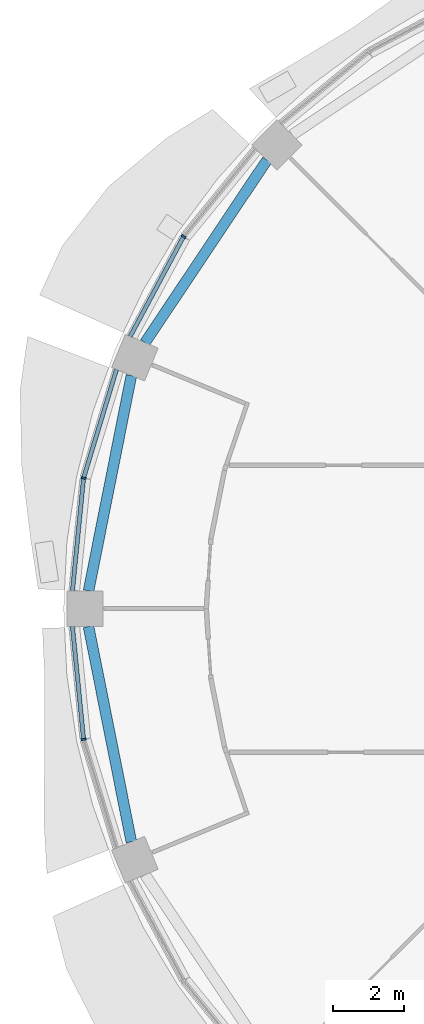
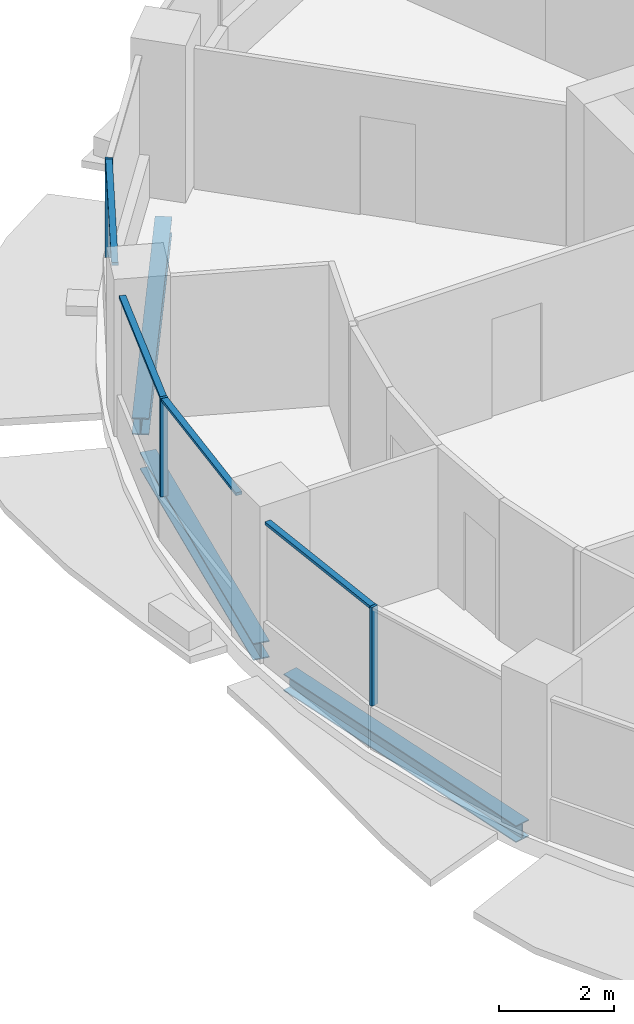
# One storey, part 4 of 15: 7 members, 3 beams, 3 elements without a shape of their own.
"""IFC4 building model written with IfcOpenShell, lengths in metres."""

from ifc_helpers import new_model, si_unit, direction, frame, origin, origin_2d, place, context, subcontext, project, spatial, rectangle, i_section, extrude, material, material_profile, profile_set, type_object, element, aggregate, save


model = new_model("IFC4")

# Units and contexts
model_context = context("Model", 3, precision=1e-05, world=origin(), true_north=direction((0.0, 1.0)))
body_context = subcontext(model_context, "Body", "Model", "MODEL_VIEW")
ifc_project = project(units=[si_unit("LENGTHUNIT", "METRE"), si_unit("AREAUNIT", "SQUARE_METRE"), si_unit("VOLUMEUNIT", "CUBIC_METRE"), si_unit("PLANEANGLEUNIT", "RADIAN"), si_unit("MASSUNIT", "GRAM", prefix="KILO")], contexts=[model_context])

# Site, building, storey
site_placement = place(None, origin())
site = spatial("IfcSite", under=ifc_project, at=site_placement, CompositionType="ELEMENT")
building_placement = place(site_placement, origin())
building = spatial("IfcBuilding", under=site, at=building_placement, Name="Polderwave Tower", CompositionType="ELEMENT")
storey_placement = place(building_placement, frame((0.0, 0.0, 134.35009765625)))
storey = spatial("IfcBuildingStorey", under=building, at=storey_placement, Name="L35", CompositionType="ELEMENT", Elevation=134.35009765625)

# Curtain wall, member
ifc_material_1 = material(Name="Aluminium 6063-T6 and glass", Category="aluminium")
curtain_wall_type = type_object("IfcCurtainWallType", Name="Office ribbon glazing wall", PredefinedType="NOTDEFINED", material=ifc_material_1)
curtain_wall_1_placement = place(storey_placement, origin())
curtain_wall_1 = element("IfcCurtainWall", 1, at=curtain_wall_1_placement, inside=storey, type_object=curtain_wall_type, Name="CW3 L35 06", PredefinedType="NOTDEFINED")
ifc_material_2 = material(Name="Aluminium 6063-T6", Category="aluminium")
ifc_material_profile_1 = material_profile(ifc_material_2, rectangle(XDim=0.139892578125, YDim=0.054931640625, at=origin_2d()), Name="AL 55x140")
ifc_profile_set_1 = profile_set([ifc_material_profile_1], Name="Aluminium 6063-T6")
member_type_1 = type_object("IfcMemberType", Name="Office ribbon glazing mullion 55x140", PredefinedType="MULLION", material=ifc_profile_set_1)
member_1_placement = place(storey_placement, frame((-15.614990234375, 10.43408203125, 0.89990234375), z_axis=(0.0, 0.0, 1.0), x_axis=(0.831411428565, -0.555657301267, 0.0)))
member_1 = element("IfcMember", 2, at=member_1_placement, type_object=member_type_1, Name="CW3 mullion 1", PredefinedType="MULLION", context=body_context, shape_type="SweptSolid", body=[
    extrude(rectangle(XDim=0.139892578125, YDim=0.054931640625, at=origin_2d()), origin(), (0.0, 0.0, 1.0), 2.10009765625),
])

curtain_wall_2_placement = place(storey_placement, origin())
curtain_wall_2 = element("IfcCurtainWall", 3, at=curtain_wall_2_placement, inside=storey, type_object=curtain_wall_type, Name="CW3 L35 07", PredefinedType="NOTDEFINED")
member_2_placement = place(storey_placement, frame((-18.4189453125, 3.6640625, 0.89990234375), z_axis=(0.0, 0.0, 1.0), x_axis=(0.980767570528, -0.195179334461, 0.0)))
member_2 = element("IfcMember", 4, at=member_2_placement, type_object=member_type_1, Name="CW3 mullion 1", PredefinedType="MULLION", context=body_context, shape_type="SweptSolid", body=[
    extrude(rectangle(XDim=0.139892578125, YDim=0.054931640625, at=origin_2d()), origin(), (0.0, 0.0, 1.0), 2.10009765625),
])

curtain_wall_3_placement = place(storey_placement, origin())
curtain_wall_3 = element("IfcCurtainWall", 5, at=curtain_wall_3_placement, inside=storey, type_object=curtain_wall_type, Name="CW3 L35 08", PredefinedType="NOTDEFINED")
member_3_placement = place(storey_placement, frame((-18.4189453125, -3.6640625, 0.89990234375), z_axis=(0.0, 0.0, 1.0), x_axis=(0.980767570528, 0.195179334461, 0.0)))
member_3 = element("IfcMember", 6, at=member_3_placement, type_object=member_type_1, Name="CW3 mullion 1", PredefinedType="MULLION", context=body_context, shape_type="SweptSolid", body=[
    extrude(rectangle(XDim=0.139892578125, YDim=0.054931640625, at=origin_2d()), origin(), (0.0, 0.0, 1.0), 2.10009765625),
])

# Member
ifc_material_profile_2 = material_profile(ifc_material_2, rectangle(XDim=0.1201171875, YDim=0.06005859375, at=origin_2d()), Name="AL 60x120")
ifc_profile_set_2 = profile_set([ifc_material_profile_2], Name="Aluminium 6063-T6")
member_type_2 = type_object("IfcMemberType", Name="Office ribbon glazing transom 60x120", PredefinedType="USERDEFINED", material=ifc_profile_set_2)
member_4_placement = place(storey_placement, frame((-15.6279296875, 10.40966796875, 2.969970703125), z_axis=(-0.471460363877, -0.88188725203, 0.0), x_axis=(0.88188725203, -0.471460363877, 0.0)))
member_4 = element("IfcMember", 7, at=member_4_placement, type_object=member_type_2, Name="CW3 transom 2", ObjectType="TRANSOM", PredefinedType="USERDEFINED", context=body_context, shape_type="SweptSolid", body=[
    extrude(rectangle(XDim=0.1201171875, YDim=0.06005859375, at=origin_2d()), origin(), (0.0, 0.0, 1.0), 3.152099609375),
])

aggregate(curtain_wall_1, [member_1, member_4])

member_5_placement = place(storey_placement, frame((-17.49609375, 6.7060546875, 2.969970703125), z_axis=(-0.290267539602, -0.956945534215, 0.0), x_axis=(0.956945534215, -0.290267539602, 0.0)))
member_5 = element("IfcMember", 8, at=member_5_placement, type_object=member_type_2, Name="CW3 transom 1", ObjectType="TRANSOM", PredefinedType="USERDEFINED", context=body_context, shape_type="SweptSolid", body=[
    extrude(rectangle(XDim=0.1201171875, YDim=0.06005859375, at=origin_2d()), origin(), (0.0, 0.0, 1.0), 3.151611328125),
])

member_6_placement = place(storey_placement, frame((-18.421630859375, 3.63671875, 2.969970703125), z_axis=(-0.09813853445, -0.995172762919, 0.0), x_axis=(0.995172762919, -0.09813853445, 0.0)))
member_6 = element("IfcMember", 9, at=member_6_placement, type_object=member_type_2, Name="CW3 transom 2", ObjectType="TRANSOM", PredefinedType="USERDEFINED", context=body_context, shape_type="SweptSolid", body=[
    extrude(rectangle(XDim=0.1201171875, YDim=0.06005859375, at=origin_2d()), origin(), (0.0, 0.0, 1.0), 3.15185546875),
])

aggregate(curtain_wall_2, [member_2, member_5, member_6])

member_7_placement = place(storey_placement, frame((-18.73095703125, -0.5, 2.969970703125), z_axis=(0.09813853445, -0.995172762919, 0.0), x_axis=(0.995172762919, 0.09813853445, 0.0)))
member_7 = element("IfcMember", 10, at=member_7_placement, type_object=member_type_2, Name="CW3 transom 1", ObjectType="TRANSOM", PredefinedType="USERDEFINED", context=body_context, shape_type="SweptSolid", body=[
    extrude(rectangle(XDim=0.1201171875, YDim=0.06005859375, at=origin_2d()), origin(), (0.0, 0.0, 1.0), 3.15185546875),
])

aggregate(curtain_wall_3, [member_3, member_7])

# Beams
ifc_material_3 = material(Name="Steel S355", Category="steel")
ifc_material_profile_3 = material_profile(ifc_material_3, i_section(OverallWidth=0.300048828125, OverallDepth=0.360107421875, WebThickness=0.012451171875, FlangeThickness=0.0224609375, at=origin_2d()), Name="HE 360 B")
ifc_profile_set_3 = profile_set([ifc_material_profile_3], Name="Steel S355")
beam_type = type_object("IfcBeamType", Name="RING BEAM HE 360 B", PredefinedType="BEAM", material=ifc_profile_set_3)
beam_placement = place(storey_placement, frame((-13.27978515625, 12.57275390625, -0.530029296875), z_axis=(-0.555579044629, -0.831463724506, 0.0), x_axis=(0.831463724506, -0.555579044629, 0.0)))
element("IfcBeam", 11, at=beam_placement, inside=storey, type_object=beam_type, Name="ST-RB-L35-06", PredefinedType="BEAM", context=body_context, shape_type="SweptSolid", body=[
    extrude(i_section(OverallWidth=0.300048828125, OverallDepth=0.360107421875, WebThickness=0.012451171875, FlangeThickness=0.0224609375, at=origin_2d()), origin(), (0.0, 0.0, 1.0), 6.152099609375),
])
for number, where, z_axis, x_axis, name in (
    (12, (-17.080322265625, 6.53369140625, -0.530029296875), (-0.195093366566, -0.9807846748, 0.0), (0.9807846748, -0.195093366566, 0.0), "ST-RB-L35-07"),
    (13, (-18.280517578125, -0.5, -0.530029296875), (0.195093366566, -0.9807846748, 0.0), (0.9807846748, 0.195093366566, 0.0), "ST-RB-L35-08"),
):
    element("IfcBeam", number, at=place(storey_placement, frame(where, z_axis=z_axis, x_axis=x_axis)), inside=storey, type_object=beam_type, Name=name, PredefinedType="BEAM", context=body_context, shape_type="SweptSolid", body=[
        extrude(i_section(OverallWidth=0.300048828125, OverallDepth=0.360107421875, WebThickness=0.012451171875, FlangeThickness=0.0224609375, at=origin_2d()), origin(), (0.0, 0.0, 1.0), 6.15185546875),
    ])

save(model, "model.ifc")
